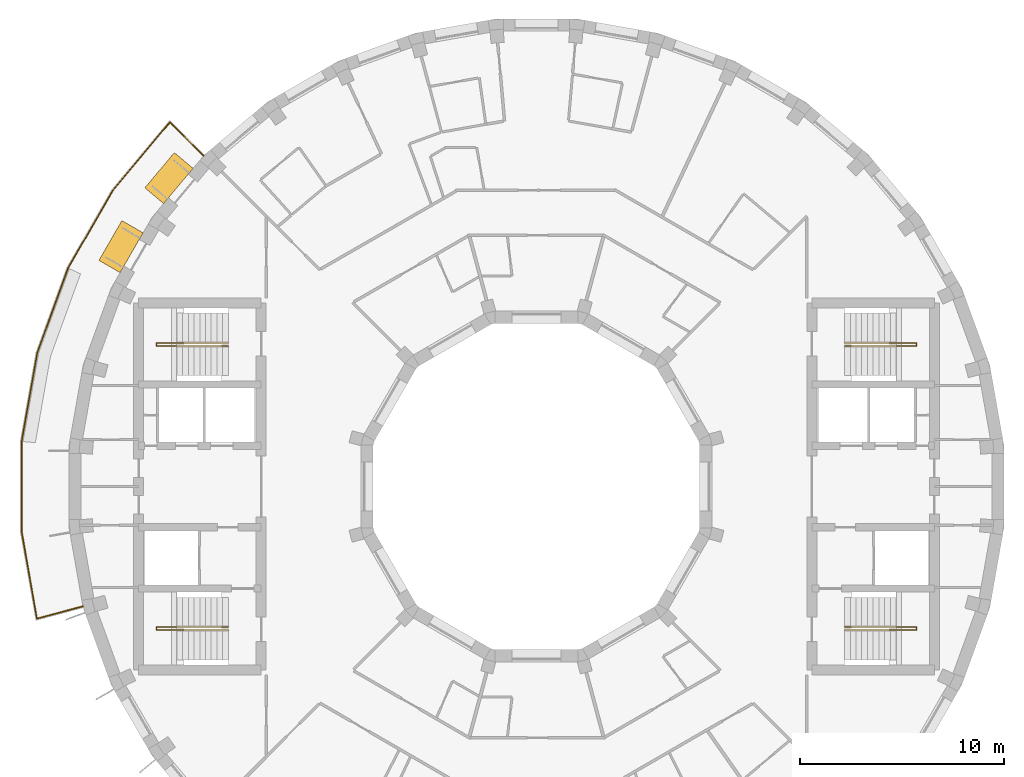
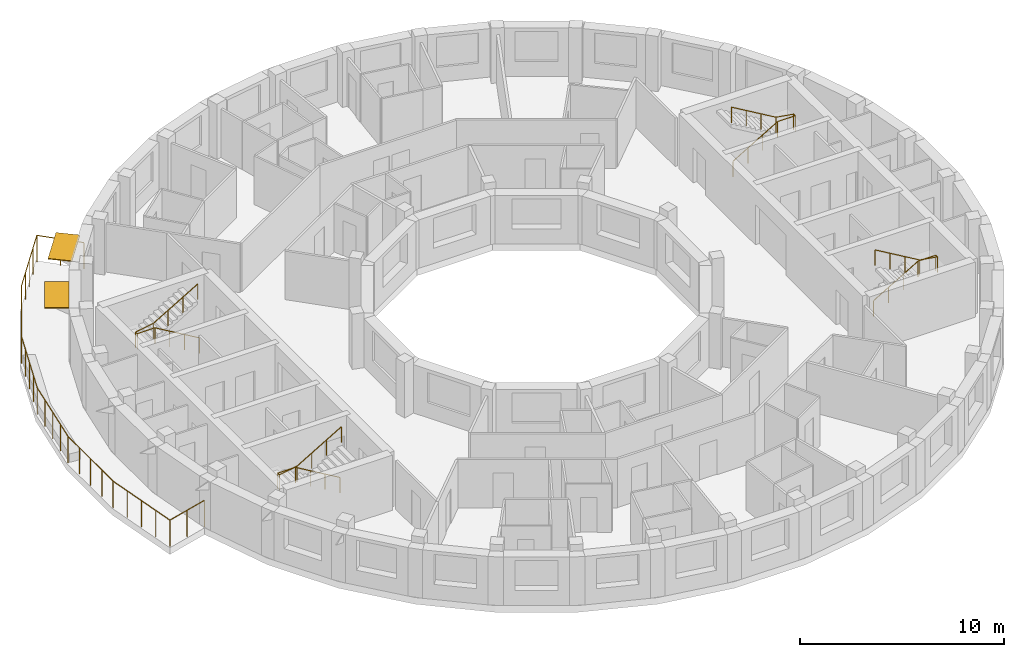
# One storey, part 10 of 10: 5 railings, 2 shading devices.
"""IFC4 building model written with IfcOpenShell, lengths in metres."""

from ifc_helpers import new_model, si_unit, direction, frame, origin, origin_2d, place, context, subcontext, project, spatial, rectangle, circle, extrude, material, layer, layer_set, type_object, element, save


model = new_model("IFC4")

# Units and contexts
model_context = context("Model", 3, precision=1e-05, world=origin(), true_north=direction((0.0, 1.0)))
body_context = subcontext(model_context, "Body", "Model", "MODEL_VIEW")
ifc_project = project(units=[si_unit("LENGTHUNIT", "METRE"), si_unit("AREAUNIT", "SQUARE_METRE"), si_unit("VOLUMEUNIT", "CUBIC_METRE"), si_unit("PLANEANGLEUNIT", "RADIAN"), si_unit("MASSUNIT", "GRAM", prefix="KILO")], contexts=[model_context])

# Site, building, storey
site_placement = place(None, origin())
site = spatial("IfcSite", under=ifc_project, at=site_placement, CompositionType="ELEMENT")
building_placement = place(site_placement, origin())
building = spatial("IfcBuilding", under=site, at=building_placement, Name="Saqina Gate Tower", CompositionType="ELEMENT")
storey_placement = place(building_placement, frame((0.0, 0.0, 246.199951171875)))
storey = spatial("IfcBuildingStorey", under=building, at=storey_placement, Name="L70", CompositionType="ELEMENT", Elevation=246.199951171875)

# Shading devices
ifc_material_1 = material(Name="Aluminium and fabric awning", Category="aluminium")
ifc_layer = layer(ifc_material_1, 0.050048828125)
ifc_layer_set = layer_set([ifc_layer], Name="AW-TERRACE")
shading_device_type = type_object("IfcShadingDeviceType", Name="AW-TERRACE", PredefinedType="AWNING", material=ifc_layer_set)
for number, where, z_axis, x_axis, name in (
    (1, (-18.01171875, 15.113525390625, 2.52490234375), (0.0, 0.0, 1.0), (-0.642787609687, -0.766044443119, 0.0), "Terrace awning L70 facet 14"),
    (2, (-20.3623046875, 11.756103515625, 2.52490234375), (0.0, 0.0, 1.0), (-0.5, -0.866025403784, 0.0), "Terrace awning L70 facet 15"),
):
    element("IfcShadingDevice", number, at=place(storey_placement, frame(where, z_axis=z_axis, x_axis=x_axis)), inside=storey, type_object=shading_device_type, Name=name, PredefinedType="AWNING", context=body_context, shape_type="SweptSolid", body=[
        extrude(rectangle(XDim=2.251708984375, YDim=1.199951171875, at=origin_2d()), origin(), (0.0, 0.0, 1.0), 0.050048828125),
    ])

# Railings
ifc_material_2 = material(Name="Stainless steel", Category="steel")
railing_type_1 = type_object("IfcRailingType", Name="RL-TERRACE", PredefinedType="GUARDRAIL", material=ifc_material_2)
railing_1_placement = place(storey_placement, frame((-16.277587890625, 16.16455078125, 0.0)))
element("IfcRailing", 3, at=railing_1_placement, inside=storey, type_object=railing_type_1, Name="Terrace guard L70", PredefinedType="GUARDRAIL", context=body_context, shape_type="SweptSolid", body=[
    extrude(circle(Radius=0.02392578125, at=origin_2d()), frame((0.0, 0.0, 1.576171875), z_axis=(-0.707157881947, 0.707055676733, 0.0), x_axis=(-0.707055676733, -0.707157881947, 0.0)), (0.0, 0.0, 1.0), 2.388671875),
    extrude(circle(Radius=0.02392578125, at=origin_2d()), frame((-1.689208984375, 1.68896484375, 1.576171875), z_axis=(-0.641584720745, -0.76705217952, 0.0), x_axis=(0.76705217952, -0.641584720745, 0.0)), (0.0, 0.0, 1.0), 4.33544921875),
    extrude(circle(Radius=0.02392578125, at=origin_2d()), frame((-4.470703125, -1.636474609375, 1.576171875), z_axis=(-0.49998092645, -0.866036415623, 0.0), x_axis=(0.866036415623, -0.49998092645, 0.0)), (0.0, 0.0, 1.0), 4.415283203125),
    extrude(circle(Radius=0.02392578125, at=origin_2d()), frame((-6.67822265625, -5.460205078125, 1.576171875), z_axis=(-0.342022770825, -0.93969166445, 0.0), x_axis=(0.93969166445, -0.342022770825, 0.0)), (0.0, 0.0, 1.0), 4.4150390625),
    extrude(circle(Radius=0.02392578125, at=origin_2d()), frame((-8.188232421875, -9.60888671875, 1.576171875), z_axis=(-0.173627609853, -0.984811379451, 0.0), x_axis=(0.984811379451, -0.173627609853, 0.0)), (0.0, 0.0, 1.0), 4.415283203125),
    extrude(circle(Radius=0.02392578125, at=origin_2d()), frame((-8.954833984375, -13.95703125, 1.576171875), z_axis=(0.0, -1.0, 0.0), x_axis=(1.0, 0.0, 0.0)), (0.0, 0.0, 1.0), 4.4150390625),
    extrude(circle(Radius=0.02392578125, at=origin_2d()), frame((-8.954833984375, -18.3720703125, 1.576171875), z_axis=(0.172037454969, -0.985090409093, 0.0), x_axis=(0.985090409093, 0.172037454969, 0.0)), (0.0, 0.0, 1.0), 4.33544921875),
    extrude(circle(Radius=0.02392578125, at=origin_2d()), frame((-8.208984375, -22.642822265625, 1.576171875), z_axis=(0.96594257821, 0.258756517988, 0.0), x_axis=(-0.258756517988, 0.96594257821, 0.0)), (0.0, 0.0, 1.0), 2.388916015625),
    extrude(circle(Radius=0.02099609375, at=origin_2d()), origin(), (0.0, 0.0, 1.0), 1.552001953125),
    extrude(circle(Radius=0.02099609375, at=origin_2d()), frame((-0.8447265625, 0.844482421875, 0.0)), (0.0, 0.0, 1.0), 1.552001953125),
    extrude(circle(Radius=0.02099609375, at=origin_2d()), frame((-1.689208984375, 1.68896484375, 0.0)), (0.0, 0.0, 1.0), 1.552001953125),
    extrude(circle(Radius=0.02099609375, at=origin_2d()), frame((-2.384521484375, 0.857666015625, 0.0)), (0.0, 0.0, 1.0), 1.552001953125),
    extrude(circle(Radius=0.02099609375, at=origin_2d()), frame((-3.080078125, 0.0263671875, 0.0)), (0.0, 0.0, 1.0), 1.552001953125),
    extrude(circle(Radius=0.02099609375, at=origin_2d()), frame((-3.775390625, -0.80517578125, 0.0)), (0.0, 0.0, 1.0), 1.552001953125),
    extrude(circle(Radius=0.02099609375, at=origin_2d()), frame((-4.470703125, -1.636474609375, 0.0)), (0.0, 0.0, 1.0), 1.552001953125),
    extrude(circle(Radius=0.02099609375, at=origin_2d()), frame((-5.0224609375, -2.59228515625, 0.0)), (0.0, 0.0, 1.0), 1.552001953125),
    extrude(circle(Radius=0.02099609375, at=origin_2d()), frame((-5.574462890625, -3.54833984375, 0.0)), (0.0, 0.0, 1.0), 1.552001953125),
    extrude(circle(Radius=0.02099609375, at=origin_2d()), frame((-6.12646484375, -4.50439453125, 0.0)), (0.0, 0.0, 1.0), 1.552001953125),
    extrude(circle(Radius=0.02099609375, at=origin_2d()), frame((-6.67822265625, -5.460205078125, 0.0)), (0.0, 0.0, 1.0), 1.552001953125),
    extrude(circle(Radius=0.02099609375, at=origin_2d()), frame((-7.0556640625, -6.497314453125, 0.0)), (0.0, 0.0, 1.0), 1.552001953125),
    extrude(circle(Radius=0.02099609375, at=origin_2d()), frame((-7.43310546875, -7.53466796875, 0.0)), (0.0, 0.0, 1.0), 1.552001953125),
    extrude(circle(Radius=0.02099609375, at=origin_2d()), frame((-7.810791015625, -8.57177734375, 0.0)), (0.0, 0.0, 1.0), 1.552001953125),
    extrude(circle(Radius=0.02099609375, at=origin_2d()), frame((-8.188232421875, -9.60888671875, 0.0)), (0.0, 0.0, 1.0), 1.552001953125),
    extrude(circle(Radius=0.02099609375, at=origin_2d()), frame((-8.3798828125, -10.69580078125, 0.0)), (0.0, 0.0, 1.0), 1.552001953125),
    extrude(circle(Radius=0.02099609375, at=origin_2d()), frame((-8.571533203125, -11.782958984375, 0.0)), (0.0, 0.0, 1.0), 1.552001953125),
    extrude(circle(Radius=0.02099609375, at=origin_2d()), frame((-8.76318359375, -12.8701171875, 0.0)), (0.0, 0.0, 1.0), 1.552001953125),
    extrude(circle(Radius=0.02099609375, at=origin_2d()), frame((-8.954833984375, -13.95703125, 0.0)), (0.0, 0.0, 1.0), 1.552001953125),
    extrude(circle(Radius=0.02099609375, at=origin_2d()), frame((-8.954833984375, -15.060791015625, 0.0)), (0.0, 0.0, 1.0), 1.552001953125),
    extrude(circle(Radius=0.02099609375, at=origin_2d()), frame((-8.954833984375, -16.16455078125, 0.0)), (0.0, 0.0, 1.0), 1.552001953125),
    extrude(circle(Radius=0.02099609375, at=origin_2d()), frame((-8.954833984375, -17.268310546875, 0.0)), (0.0, 0.0, 1.0), 1.552001953125),
    extrude(circle(Radius=0.02099609375, at=origin_2d()), frame((-8.954833984375, -18.3720703125, 0.0)), (0.0, 0.0, 1.0), 1.552001953125),
    extrude(circle(Radius=0.02099609375, at=origin_2d()), frame((-8.768310546875, -19.439697265625, 0.0)), (0.0, 0.0, 1.0), 1.552001953125),
    extrude(circle(Radius=0.02099609375, at=origin_2d()), frame((-8.58203125, -20.50732421875, 0.0)), (0.0, 0.0, 1.0), 1.552001953125),
    extrude(circle(Radius=0.02099609375, at=origin_2d()), frame((-8.3955078125, -21.5751953125, 0.0)), (0.0, 0.0, 1.0), 1.552001953125),
    extrude(circle(Radius=0.02099609375, at=origin_2d()), frame((-8.208984375, -22.642822265625, 0.0)), (0.0, 0.0, 1.0), 1.552001953125),
    extrude(circle(Radius=0.02099609375, at=origin_2d()), frame((-7.05517578125, -22.333740234375, 0.0)), (0.0, 0.0, 1.0), 1.552001953125),
    extrude(circle(Radius=0.02099609375, at=origin_2d()), frame((-5.9013671875, -22.024658203125, 0.0)), (0.0, 0.0, 1.0), 1.552001953125),
])
ifc_material_3 = material(Name="Stainless steel", Category="steel")
railing_type_2 = type_object("IfcRailingType", Name="STAIR HANDRAIL", PredefinedType="HANDRAIL", material=ifc_material_3)
railing_2_placement = place(storey_placement, frame((15.10009765625, 6.88330078125, 0.1650390625)))
element("IfcRailing", 4, at=railing_2_placement, inside=storey, type_object=railing_type_2, Name="EXIT STAIR 1 HANDRAIL", PredefinedType="HANDRAIL", context=body_context, shape_type="SweptSolid", body=[
    extrude(circle(Radius=0.02392578125, at=origin_2d()), frame((0.0, 0.0, 0.92578125), z_axis=(0.86152411907, 0.0, 0.507716645641), x_axis=(0.0, 1.0, 0.0)), (0.0, 0.0, 1.0), 2.925048828125),
    extrude(circle(Radius=0.02392578125, at=origin_2d()), frame((2.52001953125, 0.0, 2.4111328125), z_axis=(1.0, 0.0, 0.0), x_axis=(0.0, 1.0, 0.0)), (0.0, 0.0, 1.0), 1.0),
    extrude(circle(Radius=0.02392578125, at=origin_2d()), frame((3.52001953125, 0.0, 2.4111328125), z_axis=(0.0, 1.0, 0.0), x_axis=(-1.0, 0.0, 0.0)), (0.0, 0.0, 1.0), 0.158447265625),
    extrude(circle(Radius=0.02392578125, at=origin_2d()), frame((3.52001953125, 0.158447265625, 2.4111328125), z_axis=(-0.986691773887, 0.0, 0.162601793792), x_axis=(0.0, -1.0, 0.0)), (0.0, 0.0, 1.0), 1.013427734375),
    extrude(circle(Radius=0.02392578125, at=origin_2d()), frame((2.52001953125, 0.158447265625, 2.57568359375), z_axis=(-0.86152411907, 0.0, 0.507716645641), x_axis=(0.0, -1.0, 0.0)), (0.0, 0.0, 1.0), 2.925048828125),
    extrude(circle(Radius=0.02099609375, at=origin_2d()), origin(), (0.0, 0.0, 1.0), 0.90185546875),
    extrude(circle(Radius=0.02099609375, at=origin_2d()), frame((0.840087890625, 0.0, 0.4951171875)), (0.0, 0.0, 1.0), 0.90185546875),
    extrude(circle(Radius=0.02099609375, at=origin_2d()), frame((1.679931640625, 0.0, 0.989990234375)), (0.0, 0.0, 1.0), 0.90185546875),
    extrude(circle(Radius=0.02099609375, at=origin_2d()), frame((2.52001953125, 0.0, 1.485107421875)), (0.0, 0.0, 1.0), 0.90185546875),
    extrude(circle(Radius=0.02099609375, at=origin_2d()), frame((3.52001953125, 0.0, 1.485107421875)), (0.0, 0.0, 1.0), 0.90185546875),
    extrude(circle(Radius=0.02099609375, at=origin_2d()), frame((3.52001953125, 0.158447265625, 1.485107421875)), (0.0, 0.0, 1.0), 0.90185546875),
    extrude(circle(Radius=0.02099609375, at=origin_2d()), frame((2.52001953125, 0.158447265625, 1.64990234375)), (0.0, 0.0, 1.0), 0.90185546875),
    extrude(circle(Radius=0.02099609375, at=origin_2d()), frame((1.679931640625, 0.158447265625, 2.14501953125)), (0.0, 0.0, 1.0), 0.90185546875),
    extrude(circle(Radius=0.02099609375, at=origin_2d()), frame((0.840087890625, 0.158447265625, 2.639892578125)), (0.0, 0.0, 1.0), 0.90185546875),
    extrude(circle(Radius=0.02099609375, at=origin_2d()), frame((0.0, 0.158447265625, 3.135009765625)), (0.0, 0.0, 1.0), 0.90185546875),
])
railing_3_placement = place(storey_placement, frame((15.10009765625, -6.88330078125, 0.1650390625)))
element("IfcRailing", 5, at=railing_3_placement, inside=storey, type_object=railing_type_2, Name="EXIT STAIR 2 HANDRAIL", PredefinedType="HANDRAIL", context=body_context, shape_type="SweptSolid", body=[
    extrude(circle(Radius=0.02392578125, at=origin_2d()), frame((0.0, 0.0, 0.92578125), z_axis=(0.86152411907, 0.0, 0.507716645641), x_axis=(0.0, 1.0, 0.0)), (0.0, 0.0, 1.0), 2.925048828125),
    extrude(circle(Radius=0.02392578125, at=origin_2d()), frame((2.52001953125, 0.0, 2.4111328125), z_axis=(1.0, 0.0, 0.0), x_axis=(0.0, 1.0, 0.0)), (0.0, 0.0, 1.0), 1.0),
    extrude(circle(Radius=0.02392578125, at=origin_2d()), frame((3.52001953125, 0.0, 2.4111328125), z_axis=(0.0, -1.0, 0.0), x_axis=(1.0, 0.0, 0.0)), (0.0, 0.0, 1.0), 0.158447265625),
    extrude(circle(Radius=0.02392578125, at=origin_2d()), frame((3.52001953125, -0.158447265625, 2.4111328125), z_axis=(-0.986691773887, 0.0, 0.162601793792), x_axis=(0.0, -1.0, 0.0)), (0.0, 0.0, 1.0), 1.013427734375),
    extrude(circle(Radius=0.02392578125, at=origin_2d()), frame((2.52001953125, -0.158447265625, 2.57568359375), z_axis=(-0.86152411907, 0.0, 0.507716645641), x_axis=(0.0, -1.0, 0.0)), (0.0, 0.0, 1.0), 2.925048828125),
    extrude(circle(Radius=0.02099609375, at=origin_2d()), origin(), (0.0, 0.0, 1.0), 0.90185546875),
    extrude(circle(Radius=0.02099609375, at=origin_2d()), frame((0.840087890625, 0.0, 0.4951171875)), (0.0, 0.0, 1.0), 0.90185546875),
    extrude(circle(Radius=0.02099609375, at=origin_2d()), frame((1.679931640625, 0.0, 0.989990234375)), (0.0, 0.0, 1.0), 0.90185546875),
    extrude(circle(Radius=0.02099609375, at=origin_2d()), frame((2.52001953125, 0.0, 1.485107421875)), (0.0, 0.0, 1.0), 0.90185546875),
    extrude(circle(Radius=0.02099609375, at=origin_2d()), frame((3.52001953125, 0.0, 1.485107421875)), (0.0, 0.0, 1.0), 0.90185546875),
    extrude(circle(Radius=0.02099609375, at=origin_2d()), frame((3.52001953125, -0.158447265625, 1.485107421875)), (0.0, 0.0, 1.0), 0.90185546875),
    extrude(circle(Radius=0.02099609375, at=origin_2d()), frame((2.52001953125, -0.158447265625, 1.64990234375)), (0.0, 0.0, 1.0), 0.90185546875),
    extrude(circle(Radius=0.02099609375, at=origin_2d()), frame((1.679931640625, -0.158447265625, 2.14501953125)), (0.0, 0.0, 1.0), 0.90185546875),
    extrude(circle(Radius=0.02099609375, at=origin_2d()), frame((0.840087890625, -0.158447265625, 2.639892578125)), (0.0, 0.0, 1.0), 0.90185546875),
    extrude(circle(Radius=0.02099609375, at=origin_2d()), frame((0.0, -0.158447265625, 3.135009765625)), (0.0, 0.0, 1.0), 0.90185546875),
])
railing_4_placement = place(storey_placement, frame((-15.10009765625, 6.88330078125, 0.1650390625)))
element("IfcRailing", 6, at=railing_4_placement, inside=storey, type_object=railing_type_2, Name="EXIT STAIR 3 HANDRAIL", PredefinedType="HANDRAIL", context=body_context, shape_type="SweptSolid", body=[
    extrude(circle(Radius=0.02392578125, at=origin_2d()), frame((0.0, 0.0, 0.92578125), z_axis=(-0.86152411907, 0.0, 0.507716645641), x_axis=(0.0, -1.0, 0.0)), (0.0, 0.0, 1.0), 2.925048828125),
    extrude(circle(Radius=0.02392578125, at=origin_2d()), frame((-2.52001953125, 0.0, 2.4111328125), z_axis=(-1.0, 0.0, 0.0), x_axis=(0.0, -1.0, 0.0)), (0.0, 0.0, 1.0), 1.0),
    extrude(circle(Radius=0.02392578125, at=origin_2d()), frame((-3.52001953125, 0.0, 2.4111328125), z_axis=(0.0, 1.0, 0.0), x_axis=(-1.0, 0.0, 0.0)), (0.0, 0.0, 1.0), 0.158447265625),
    extrude(circle(Radius=0.02392578125, at=origin_2d()), frame((-3.52001953125, 0.158447265625, 2.4111328125), z_axis=(0.986691773887, 0.0, 0.162601793792), x_axis=(0.0, 1.0, 0.0)), (0.0, 0.0, 1.0), 1.013427734375),
    extrude(circle(Radius=0.02392578125, at=origin_2d()), frame((-2.52001953125, 0.158447265625, 2.57568359375), z_axis=(0.86152411907, 0.0, 0.507716645641), x_axis=(0.0, 1.0, 0.0)), (0.0, 0.0, 1.0), 2.925048828125),
    extrude(circle(Radius=0.02099609375, at=origin_2d()), origin(), (0.0, 0.0, 1.0), 0.90185546875),
    extrude(circle(Radius=0.02099609375, at=origin_2d()), frame((-0.840087890625, 0.0, 0.4951171875)), (0.0, 0.0, 1.0), 0.90185546875),
    extrude(circle(Radius=0.02099609375, at=origin_2d()), frame((-1.679931640625, 0.0, 0.989990234375)), (0.0, 0.0, 1.0), 0.90185546875),
    extrude(circle(Radius=0.02099609375, at=origin_2d()), frame((-2.52001953125, 0.0, 1.485107421875)), (0.0, 0.0, 1.0), 0.90185546875),
    extrude(circle(Radius=0.02099609375, at=origin_2d()), frame((-3.52001953125, 0.0, 1.485107421875)), (0.0, 0.0, 1.0), 0.90185546875),
    extrude(circle(Radius=0.02099609375, at=origin_2d()), frame((-3.52001953125, 0.158447265625, 1.485107421875)), (0.0, 0.0, 1.0), 0.90185546875),
    extrude(circle(Radius=0.02099609375, at=origin_2d()), frame((-2.52001953125, 0.158447265625, 1.64990234375)), (0.0, 0.0, 1.0), 0.90185546875),
    extrude(circle(Radius=0.02099609375, at=origin_2d()), frame((-1.679931640625, 0.158447265625, 2.14501953125)), (0.0, 0.0, 1.0), 0.90185546875),
    extrude(circle(Radius=0.02099609375, at=origin_2d()), frame((-0.840087890625, 0.158447265625, 2.639892578125)), (0.0, 0.0, 1.0), 0.90185546875),
    extrude(circle(Radius=0.02099609375, at=origin_2d()), frame((0.0, 0.158447265625, 3.135009765625)), (0.0, 0.0, 1.0), 0.90185546875),
])
railing_5_placement = place(storey_placement, frame((-15.10009765625, -6.88330078125, 0.1650390625)))
element("IfcRailing", 7, at=railing_5_placement, inside=storey, type_object=railing_type_2, Name="EXIT STAIR 4 HANDRAIL", PredefinedType="HANDRAIL", context=body_context, shape_type="SweptSolid", body=[
    extrude(circle(Radius=0.02392578125, at=origin_2d()), frame((0.0, 0.0, 0.92578125), z_axis=(-0.86152411907, 0.0, 0.507716645641), x_axis=(0.0, -1.0, 0.0)), (0.0, 0.0, 1.0), 2.925048828125),
    extrude(circle(Radius=0.02392578125, at=origin_2d()), frame((-2.52001953125, 0.0, 2.4111328125), z_axis=(-1.0, 0.0, 0.0), x_axis=(0.0, -1.0, 0.0)), (0.0, 0.0, 1.0), 1.0),
    extrude(circle(Radius=0.02392578125, at=origin_2d()), frame((-3.52001953125, 0.0, 2.4111328125), z_axis=(0.0, -1.0, 0.0), x_axis=(1.0, 0.0, 0.0)), (0.0, 0.0, 1.0), 0.158447265625),
    extrude(circle(Radius=0.02392578125, at=origin_2d()), frame((-3.52001953125, -0.158447265625, 2.4111328125), z_axis=(0.986691773887, 0.0, 0.162601793792), x_axis=(0.0, 1.0, 0.0)), (0.0, 0.0, 1.0), 1.013427734375),
    extrude(circle(Radius=0.02392578125, at=origin_2d()), frame((-2.52001953125, -0.158447265625, 2.57568359375), z_axis=(0.86152411907, 0.0, 0.507716645641), x_axis=(0.0, 1.0, 0.0)), (0.0, 0.0, 1.0), 2.925048828125),
    extrude(circle(Radius=0.02099609375, at=origin_2d()), origin(), (0.0, 0.0, 1.0), 0.90185546875),
    extrude(circle(Radius=0.02099609375, at=origin_2d()), frame((-0.840087890625, 0.0, 0.4951171875)), (0.0, 0.0, 1.0), 0.90185546875),
    extrude(circle(Radius=0.02099609375, at=origin_2d()), frame((-1.679931640625, 0.0, 0.989990234375)), (0.0, 0.0, 1.0), 0.90185546875),
    extrude(circle(Radius=0.02099609375, at=origin_2d()), frame((-2.52001953125, 0.0, 1.485107421875)), (0.0, 0.0, 1.0), 0.90185546875),
    extrude(circle(Radius=0.02099609375, at=origin_2d()), frame((-3.52001953125, 0.0, 1.485107421875)), (0.0, 0.0, 1.0), 0.90185546875),
    extrude(circle(Radius=0.02099609375, at=origin_2d()), frame((-3.52001953125, -0.158447265625, 1.485107421875)), (0.0, 0.0, 1.0), 0.90185546875),
    extrude(circle(Radius=0.02099609375, at=origin_2d()), frame((-2.52001953125, -0.158447265625, 1.64990234375)), (0.0, 0.0, 1.0), 0.90185546875),
    extrude(circle(Radius=0.02099609375, at=origin_2d()), frame((-1.679931640625, -0.158447265625, 2.14501953125)), (0.0, 0.0, 1.0), 0.90185546875),
    extrude(circle(Radius=0.02099609375, at=origin_2d()), frame((-0.840087890625, -0.158447265625, 2.639892578125)), (0.0, 0.0, 1.0), 0.90185546875),
    extrude(circle(Radius=0.02099609375, at=origin_2d()), frame((0.0, -0.158447265625, 3.135009765625)), (0.0, 0.0, 1.0), 0.90185546875),
])

save(model, "model.ifc")
